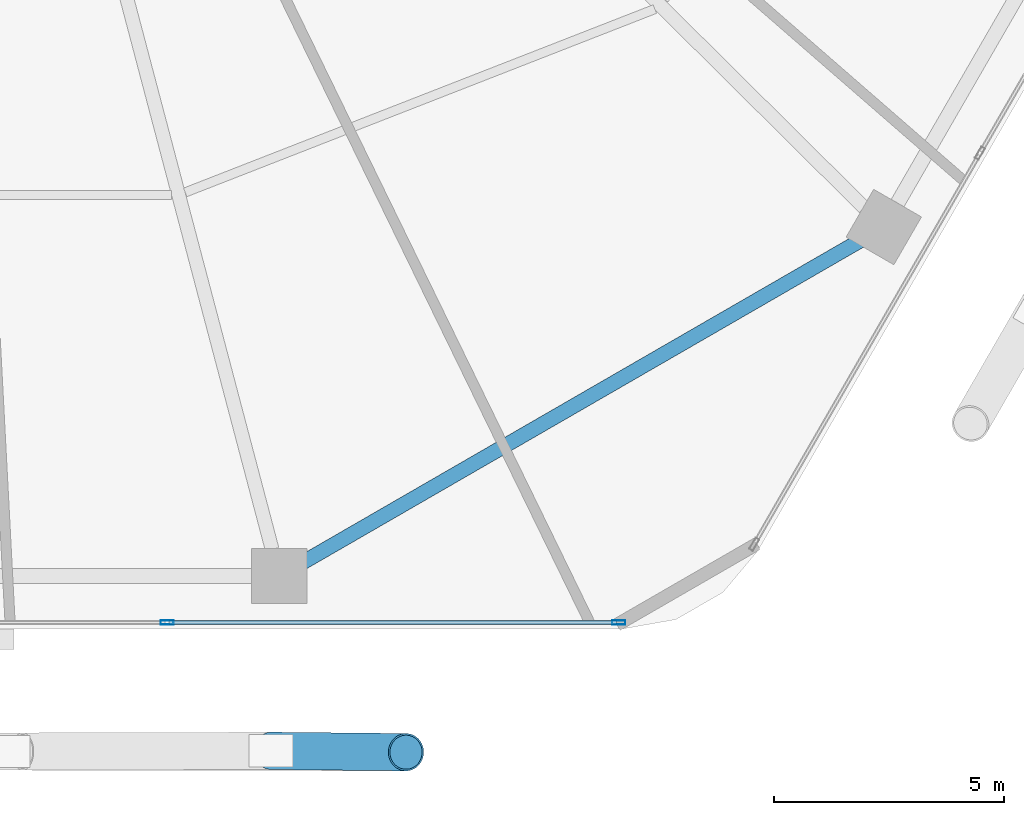
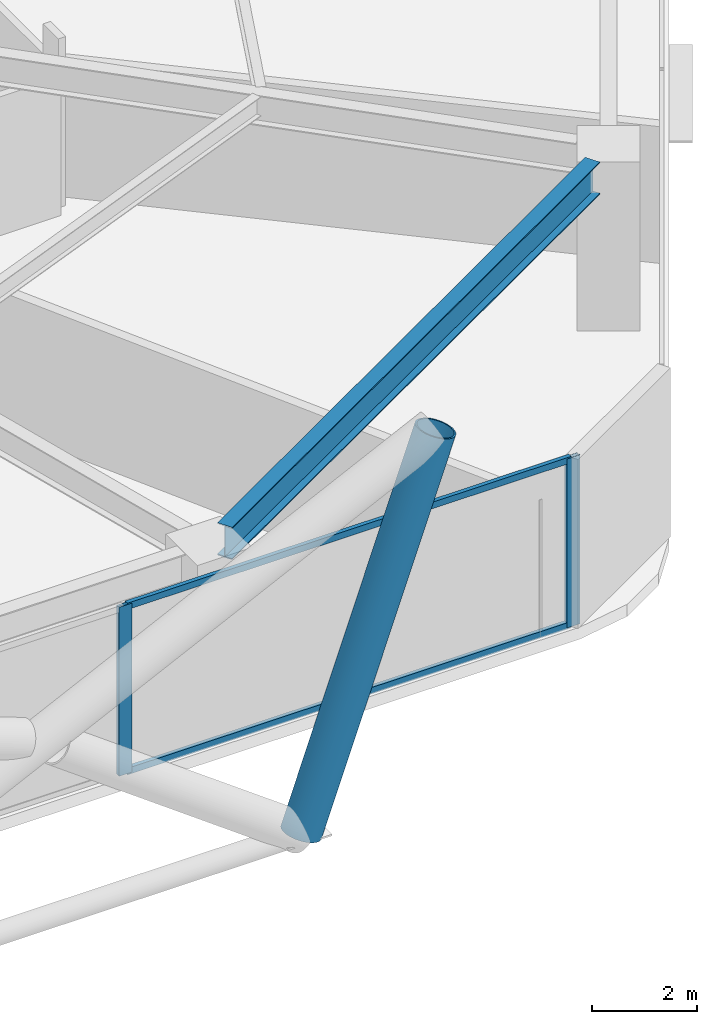
# One storey, part 7 of 30: 5 members, 1 beam, 1 element without a shape of its own.
"""IFC4 building model written with IfcOpenShell, lengths in metres."""

from ifc_helpers import new_model, si_unit, direction, frame, origin, origin_2d, place, context, subcontext, project, spatial, hollow_rectangle, hollow_circle, i_section, extrude, material, material_profile, profile_set, type_object, element, aggregate, save


model = new_model("IFC4")

# Units and contexts
model_context = context("Model", 3, precision=1e-05, world=origin(), true_north=direction((0.0, 1.0)))
body_context = subcontext(model_context, "Body", "Model", "MODEL_VIEW")
ifc_project = project(units=[si_unit("LENGTHUNIT", "METRE"), si_unit("AREAUNIT", "SQUARE_METRE"), si_unit("VOLUMEUNIT", "CUBIC_METRE"), si_unit("PLANEANGLEUNIT", "RADIAN"), si_unit("MASSUNIT", "GRAM", prefix="KILO")], contexts=[model_context])

# Site, building, storey
site_placement = place(None, origin())
site = spatial("IfcSite", under=ifc_project, at=site_placement, CompositionType="ELEMENT")
building_placement = place(site_placement, origin())
building = spatial("IfcBuilding", under=site, at=building_placement, Name="Zuhravey Tower", CompositionType="ELEMENT")
storey_placement = place(building_placement, frame((0.0, 0.0, 16.199951171875)))
storey = spatial("IfcBuildingStorey", under=building, at=storey_placement, Name="L04", CompositionType="ELEMENT", Elevation=16.199951171875)

# Curtain wall, members
ifc_material_1 = material(Name="Thermally broken anodised aluminium", Category="aluminium")
curtain_wall_type = type_object("IfcCurtainWallType", Name="School Low-E Unitised Curtain Wall CW1", PredefinedType="NOTDEFINED", material=ifc_material_1)
curtain_wall_placement = place(storey_placement, origin())
curtain_wall = element("IfcCurtainWall", 1, at=curtain_wall_placement, inside=storey, type_object=curtain_wall_type, Name="L04 CW1 CW-L04-F5-1", PredefinedType="NOTDEFINED")
ifc_material_2 = material(Name="Anodised aluminium", Category="aluminium")
ifc_material_profile_1 = material_profile(ifc_material_2, hollow_rectangle(XDim=0.090087890625, YDim=0.284912109375, WallThickness=0.0048828125, at=origin_2d()), Name="ALU-RHS-90x285x5")
ifc_profile_set_1 = profile_set([ifc_material_profile_1], Name="Anodised aluminium")
member_type_1 = type_object("IfcMemberType", Name="Curtain-Wall Mullion 90x180", PredefinedType="MULLION", material=ifc_profile_set_1)
member_1_placement = place(storey_placement, frame((50.75439453125, 3.04150390625, 0.0), z_axis=(0.0, 0.0, 1.0), x_axis=(0.0, -1.0, 0.0)))
member_1 = element("IfcMember", 2, at=member_1_placement, type_object=member_type_1, Name="CW1 mullion 1", PredefinedType="MULLION", context=body_context, shape_type="SweptSolid", body=[
    extrude(hollow_rectangle(XDim=0.090087890625, YDim=0.284912109375, WallThickness=0.0048828125, at=origin_2d()), origin(), (0.0, 0.0, 1.0), 3.920166015625),
])
member_2_placement = place(storey_placement, frame((40.93310546875, 3.04150390625, 0.0), z_axis=(0.0, 0.0, 1.0), x_axis=(0.0, -1.0, 0.0)))
member_2 = element("IfcMember", 3, at=member_2_placement, type_object=member_type_1, Name="CW1 mullion 2", PredefinedType="MULLION", context=body_context, shape_type="SweptSolid", body=[
    extrude(hollow_rectangle(XDim=0.090087890625, YDim=0.284912109375, WallThickness=0.0048828125, at=origin_2d()), origin(), (0.0, 0.0, 1.0), 3.920166015625),
])
ifc_material_profile_2 = material_profile(ifc_material_2, hollow_rectangle(XDim=0.090087890625, YDim=0.14990234375, WallThickness=0.0048828125, at=origin_2d()), Name="ALU-RHS-90x150x5")
ifc_profile_set_2 = profile_set([ifc_material_profile_2], Name="Anodised aluminium")
member_type_2 = type_object("IfcMemberType", Name="Curtain-Wall Transom 90x150", PredefinedType="USERDEFINED", material=ifc_profile_set_2)
member_3_placement = place(storey_placement, frame((50.70947265625, 3.04150390625, 0.045166015625), z_axis=(-1.0, 0.0, 0.0), x_axis=(0.0, -1.0, 0.0)))
member_3 = element("IfcMember", 4, at=member_3_placement, type_object=member_type_2, Name="CW1 transom 1.1", ObjectType="TRANSOM", PredefinedType="USERDEFINED", context=body_context, shape_type="SweptSolid", body=[
    extrude(hollow_rectangle(XDim=0.090087890625, YDim=0.14990234375, WallThickness=0.0048828125, at=origin_2d()), origin(), (0.0, 0.0, 1.0), 9.731201171875),
])
member_4_placement = place(storey_placement, frame((50.70947265625, 3.04150390625, 3.875), z_axis=(-1.0, 0.0, 0.0), x_axis=(0.0, -1.0, 0.0)))
member_4 = element("IfcMember", 5, at=member_4_placement, type_object=member_type_2, Name="CW1 transom 1.2", ObjectType="TRANSOM", PredefinedType="USERDEFINED", context=body_context, shape_type="SweptSolid", body=[
    extrude(hollow_rectangle(XDim=0.090087890625, YDim=0.14990234375, WallThickness=0.0048828125, at=origin_2d()), origin(), (0.0, 0.0, 1.0), 9.731201171875),
])
aggregate(curtain_wall, [member_1, member_2, member_3, member_4])

# Member
ifc_material_3 = material(Name="Steel SM460", Category="steel")
ifc_material_profile_3 = material_profile(ifc_material_3, hollow_circle(Radius=0.406494140625, WallThickness=0.035888671875, at=origin_2d()), Name="CHS-812.8x36")
ifc_profile_set_3 = profile_set([ifc_material_profile_3], Name="Steel SM460")
member_type_3 = type_object("IfcMemberType", Name="Exoskeleton Zone 1 Diagrid CHS813x36", PredefinedType="BRACE", material=ifc_profile_set_3)
member_5_placement = place(storey_placement, frame((43.20166015625, 0.25146484375, -0.471923828125), z_axis=(0.330640861788, -0.003364038457, 0.943750657622), x_axis=(0.010173770828, 0.999948245854, 0.0)))
element("IfcMember", 6, at=member_5_placement, inside=storey, type_object=member_type_3, Name="L04 Face 5 Diagrid Brace 4", PredefinedType="BRACE", context=body_context, shape_type="SweptSolid", body=[
    extrude(hollow_circle(Radius=0.406494140625, WallThickness=0.035888671875, at=origin_2d()), origin(), (0.0, 0.0, 1.0), 8.85400390625),
])

# Beam
ifc_material_4 = material(Name="Steel SM355", Category="steel")
ifc_material_profile_4 = material_profile(ifc_material_4, i_section(OverallWidth=0.320068359375, OverallDepth=0.75, WebThickness=0.013916015625, FlangeThickness=0.02490234375, at=origin_2d()), Name="H-750x320x14x25")
ifc_profile_set_4 = profile_set([ifc_material_profile_4], Name="Steel SM355")
beam_type = type_object("IfcBeamType", Name="Perimeter Ring Beam H750x320", PredefinedType="BEAM", material=ifc_profile_set_4)
beam_placement = place(storey_placement, frame((43.89208984375, 4.35302734375, 3.545166015625), z_axis=(0.866029969761, 0.499992091414, 0.0), x_axis=(-0.499992091414, 0.866029969761, 0.0)))
element("IfcBeam", 7, at=beam_placement, inside=storey, type_object=beam_type, Name="L04 PB1 BM-L04-PB-10", PredefinedType="BEAM", context=body_context, shape_type="SweptSolid", body=[
    extrude(i_section(OverallWidth=0.320068359375, OverallDepth=0.75, WebThickness=0.013916015625, FlangeThickness=0.02490234375, at=origin_2d()), origin(), (0.0, 0.0, 1.0), 13.977294921875),
])

save(model, "model.ifc")
